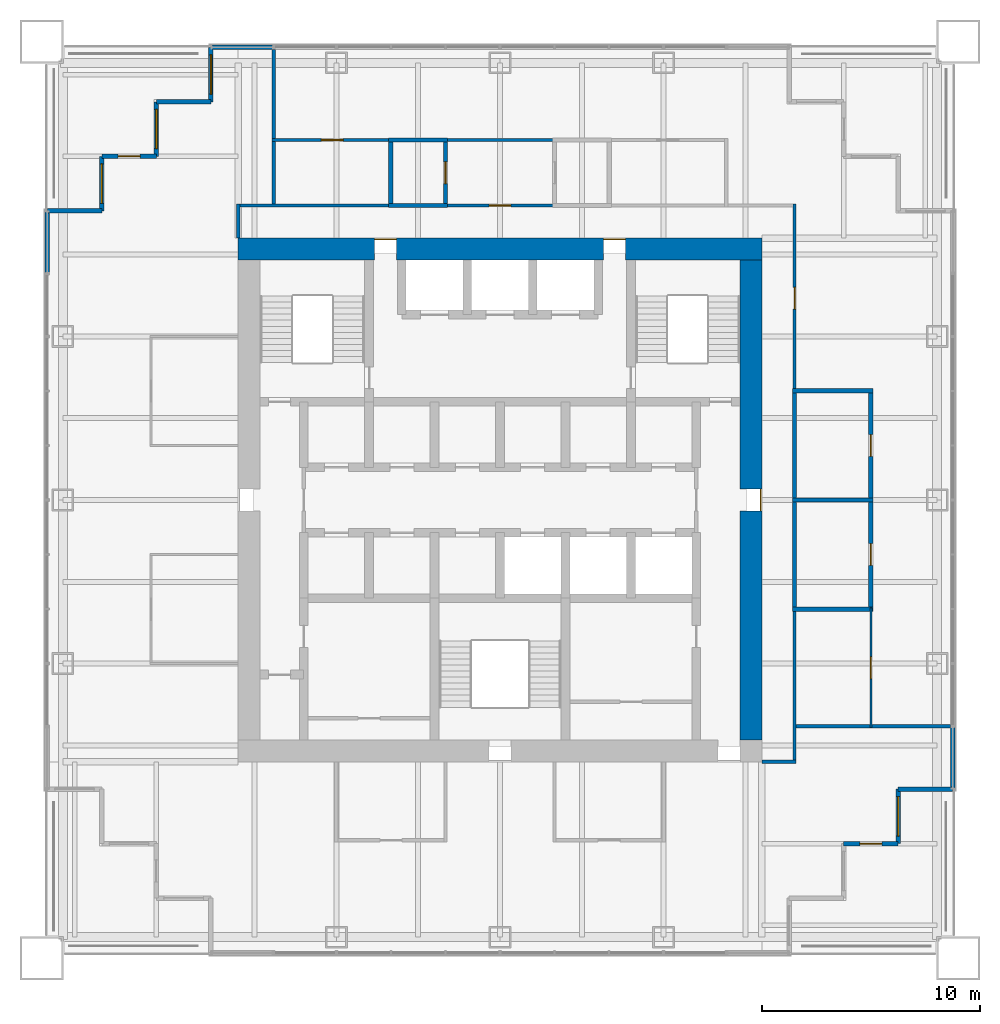
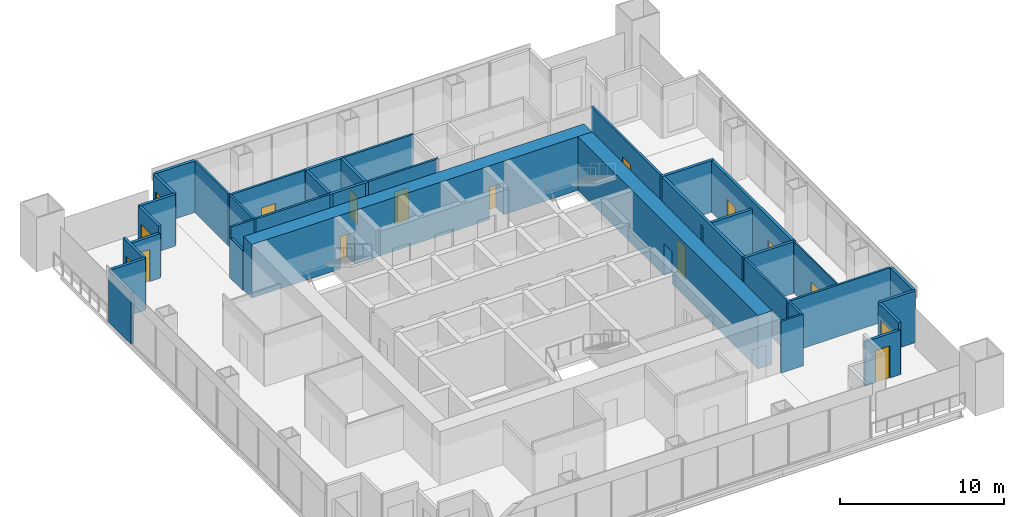
# One storey, part 11 of 14: 34 walls, 12 doors, 4 windows, 16 openings.
"""IFC4 building model written with IfcOpenShell, lengths in metres."""

from ifc_helpers import new_model, si_unit, direction, frame, frame_2d, origin, place, context, subcontext, project, spatial, rectangle, extrude, material, layer, layer_set, type_object, element, fill, save


model = new_model("IFC4")

# Units and contexts
model_context = context("Model", 3, precision=1e-05, world=origin(), true_north=direction((0.0, 1.0)))
body_context = subcontext(model_context, "Body", "Model", "MODEL_VIEW")
ifc_project = project(units=[si_unit("LENGTHUNIT", "METRE"), si_unit("AREAUNIT", "SQUARE_METRE"), si_unit("VOLUMEUNIT", "CUBIC_METRE"), si_unit("PLANEANGLEUNIT", "RADIAN"), si_unit("MASSUNIT", "GRAM", prefix="KILO")], contexts=[model_context])

# Site, building, storey
site_placement = place(None, origin())
site = spatial("IfcSite", under=ifc_project, at=site_placement, CompositionType="ELEMENT")
building_placement = place(site_placement, origin())
building = spatial("IfcBuilding", under=site, at=building_placement, Name="Tarangal Relay Tower", CompositionType="ELEMENT")
storey_placement = place(building_placement, frame((0.0, 0.0, 327.89990234375)))
storey = spatial("IfcBuildingStorey", under=building, at=storey_placement, Name="L73", CompositionType="ELEMENT", Elevation=327.89990234375)

# Walls
ifc_material_1 = material(Name="Two layers gypsum board each side on twin steel studs, mineral wool", Category="steel")
ifc_layer_1 = layer(ifc_material_1, 0.199951171875)
ifc_layer_set_1 = layer_set([ifc_layer_1], Name="Acoustic partition 200")
wall_type_1 = type_object("IfcWallType", Name="Acoustic partition 200", PredefinedType="PARTITIONING", material=ifc_layer_set_1)
wall_1_placement = place(storey_placement, frame((13.39990234375, -5.0, 0.0), z_axis=(0.0, 0.0, 1.0), x_axis=(1.0, 0.0, 0.0)))
element("IfcWall", 1, at=wall_1_placement, inside=storey, type_object=wall_type_1, Name="Partition PT2 L73", PredefinedType="PARTITIONING", context=body_context, shape_type="SweptSolid", body=[
    extrude(rectangle(XDim=3.7001953125, YDim=0.199951171875, at=frame_2d((1.85009765625, 0.0))), origin(), (0.0, 0.0, 1.0), 3.85009765625),
])
wall_2_placement = place(storey_placement, frame((13.39990234375, 0.0, 0.0), z_axis=(0.0, 0.0, 1.0), x_axis=(1.0, 0.0, 0.0)))
element("IfcWall", 2, at=wall_2_placement, inside=storey, type_object=wall_type_1, Name="Partition PT2 L73", PredefinedType="PARTITIONING", context=body_context, shape_type="SweptSolid", body=[
    extrude(rectangle(XDim=3.7001953125, YDim=0.199951171875, at=frame_2d((1.85009765625, 0.0))), origin(), (0.0, 0.0, 1.0), 3.2431640625),
])
wall_3_placement = place(storey_placement, frame((13.39990234375, 5.0, 0.0), z_axis=(0.0, 0.0, 1.0), x_axis=(1.0, 0.0, 0.0)))
element("IfcWall", 3, at=wall_3_placement, inside=storey, type_object=wall_type_1, Name="Partition PT2 L73", PredefinedType="PARTITIONING", context=body_context, shape_type="SweptSolid", body=[
    extrude(rectangle(XDim=3.7001953125, YDim=0.199951171875, at=frame_2d((1.85009765625, 0.0))), origin(), (0.0, 0.0, 1.0), 3.85009765625),
])
for number, where, z_axis, x_axis, name in (
    (4, (-5.10009765625, 13.5, 0.0), (0.0, 0.0, 1.0), (1.0, 0.0, 0.0), "Partition PT2 L73"),
    (5, (-5.10009765625, 16.5, 0.0), (0.0, 0.0, 1.0), (1.0, 0.0, 0.0), "Partition PT2 L73"),
):
    element("IfcWall", number, at=place(storey_placement, frame(where, z_axis=z_axis, x_axis=x_axis)), inside=storey, type_object=wall_type_1, Name=name, PredefinedType="PARTITIONING", context=body_context, shape_type="SweptSolid", body=[
        extrude(rectangle(XDim=2.7001953125, YDim=0.199951171875, at=frame_2d((1.35009765625, 0.0))), origin(), (0.0, 0.0, 1.0), 3.85009765625),
    ])
wall_4_placement = place(storey_placement, frame((-5.0, 13.39990234375, 0.0), z_axis=(0.0, 0.0, 1.0), x_axis=(0.0, 1.0, 0.0)))
element("IfcWall", 6, at=wall_4_placement, inside=storey, type_object=wall_type_1, Name="Partition PT2 L73", PredefinedType="PARTITIONING", context=body_context, shape_type="SweptSolid", body=[
    extrude(rectangle(XDim=3.2001953125, YDim=0.199951171875, at=frame_2d((1.60009765625, 0.0))), origin(), (0.0, 0.0, 1.0), 3.85009765625),
])

# Wall, opening, door
wall_5_placement = place(storey_placement, frame((-2.5, 13.39990234375, 0.0), z_axis=(0.0, 0.0, 1.0), x_axis=(0.0, 1.0, 0.0)))
wall_5 = element("IfcWall", 7, at=wall_5_placement, inside=storey, type_object=wall_type_1, Name="Partition PT2 L73", PredefinedType="PARTITIONING", context=body_context, shape_type="SweptSolid", body=[
    extrude(rectangle(XDim=3.2001953125, YDim=0.199951171875, at=frame_2d((1.60009765625, 0.0))), origin(), (0.0, 0.0, 1.0), 3.85009765625),
])
opening_1_placement = place(wall_5_placement, frame((1.10009765625, 0.0, 0.0)))
opening_1 = element("IfcOpeningElement", 8, at=opening_1_placement, cuts=wall_5, Name="Opening D2", PredefinedType="OPENING", context=body_context, shape_type="SweptSolid", body=[
    extrude(rectangle(XDim=1.0, YDim=2.10009765625, at=frame_2d((0.5, 1.050048828125))), frame((0.0, 0.10986328125, 0.0), z_axis=(0.0, -1.0, 0.0), x_axis=(1.0, 0.0, 0.0)), (0.0, 0.0, 1.0), 0.219970703125),
])
ifc_material_2 = material(Name="Hardwood door", Category="wood")
door_type_1 = type_object("IfcDoorType", Name="Door 1000 x 2100", OperationType="SINGLE_SWING_LEFT", PredefinedType="DOOR", material=ifc_material_2)
door_1_placement = place(opening_1_placement, origin())
door_1 = element("IfcDoor", 9, at=door_1_placement, inside=storey, type_object=door_type_1, Name="Door D2 to phone room L73-03", OperationType="SINGLE_SWING_LEFT", OverallHeight=2.10009765625, OverallWidth=1.0, PredefinedType="DOOR", context=body_context, shape_type="SweptSolid", body=[
    extrude(rectangle(XDim=1.0, YDim=2.10009765625, at=frame_2d((0.5, 1.050048828125))), frame((0.0, 0.02490234375, 0.0), z_axis=(0.0, -1.0, 0.0), x_axis=(1.0, 0.0, 0.0)), (0.0, 0.0, 1.0), 0.050048828125),
])
fill(opening_1, door_1)

# Wall
wall_6_placement = place(storey_placement, frame((13.5, -5.10009765625, 0.0), z_axis=(0.0, 0.0, 1.0), x_axis=(0.0, 1.0, 0.0)))
element("IfcWall", 10, at=wall_6_placement, inside=storey, type_object=wall_type_1, Name="Partition PT2 L73", PredefinedType="PARTITIONING", context=body_context, shape_type="SweptSolid", body=[
    extrude(rectangle(XDim=10.2001953125, YDim=0.199951171875, at=frame_2d((5.10009765625, 0.0))), origin(), (0.0, 0.0, 1.0), 3.85009765625),
])

# Wall, openings, doors
wall_7_placement = place(storey_placement, frame((17.0, -5.10009765625, 0.0), z_axis=(0.0, 0.0, 1.0), x_axis=(0.0, 1.0, 0.0)))
wall_7 = element("IfcWall", 11, at=wall_7_placement, inside=storey, type_object=wall_type_1, Name="Partition PT2 L73", PredefinedType="PARTITIONING", context=body_context, shape_type="SweptSolid", body=[
    extrude(rectangle(XDim=10.2001953125, YDim=0.199951171875, at=frame_2d((5.10009765625, 0.0))), origin(), (0.0, 0.0, 1.0), 3.85009765625),
])
opening_2_placement = place(wall_7_placement, frame((7.10009765625, 0.0, 0.0)))
opening_2 = element("IfcOpeningElement", 12, at=opening_2_placement, cuts=wall_7, Name="Opening D2", PredefinedType="OPENING", context=body_context, shape_type="SweptSolid", body=[
    extrude(rectangle(XDim=1.0, YDim=2.10009765625, at=frame_2d((0.5, 1.050048828125))), frame((0.0, 0.10986328125, 0.0), z_axis=(0.0, -1.0, 0.0), x_axis=(1.0, 0.0, 0.0)), (0.0, 0.0, 1.0), 0.219970703125),
])
opening_3_placement = place(wall_7_placement, frame((2.10009765625, 0.0, 0.0)))
opening_3 = element("IfcOpeningElement", 13, at=opening_3_placement, cuts=wall_7, Name="Opening D2", PredefinedType="OPENING", context=body_context, shape_type="SweptSolid", body=[
    extrude(rectangle(XDim=1.0, YDim=2.10009765625, at=frame_2d((0.5, 1.050048828125))), frame((0.0, 0.10986328125, 0.0), z_axis=(0.0, -1.0, 0.0), x_axis=(1.0, 0.0, 0.0)), (0.0, 0.0, 1.0), 0.219970703125),
])
door_2_placement = place(opening_2_placement, origin())
door_2 = element("IfcDoor", 14, at=door_2_placement, inside=storey, type_object=door_type_1, Name="Door D2 to boardroom L73-07", OperationType="SINGLE_SWING_LEFT", OverallHeight=2.10009765625, OverallWidth=1.0, PredefinedType="DOOR", context=body_context, shape_type="SweptSolid", body=[
    extrude(rectangle(XDim=1.0, YDim=2.10009765625, at=frame_2d((0.5, 1.050048828125))), frame((0.0, 0.02490234375, 0.0), z_axis=(0.0, -1.0, 0.0), x_axis=(1.0, 0.0, 0.0)), (0.0, 0.0, 1.0), 0.050048828125),
])
fill(opening_2, door_2)
door_3_placement = place(opening_3_placement, origin())
door_3 = element("IfcDoor", 15, at=door_3_placement, inside=storey, type_object=door_type_1, Name="Door D2 to meeting room L73-08", OperationType="SINGLE_SWING_LEFT", OverallHeight=2.10009765625, OverallWidth=1.0, PredefinedType="DOOR", context=body_context, shape_type="SweptSolid", body=[
    extrude(rectangle(XDim=1.0, YDim=2.10009765625, at=frame_2d((0.5, 1.050048828125))), frame((0.0, 0.02490234375, 0.0), z_axis=(0.0, -1.0, 0.0), x_axis=(1.0, 0.0, 0.0)), (0.0, 0.0, 1.0), 0.050048828125),
])
fill(opening_3, door_3)

ifc_material_3 = material(Name="Concrete fc' 60 MPa", Category="concrete")
ifc_layer_2 = layer(ifc_material_3, 1.0)
ifc_layer_set_2 = layer_set([ifc_layer_2], Name="Core wall 1000")
wall_type_2 = type_object("IfcWallType", Name="Core wall 1000", PredefinedType="SHEAR", material=ifc_layer_set_2)
wall_8_placement = place(storey_placement, frame((-12.0, 11.5, 0.0), z_axis=(0.0, 0.0, 1.0), x_axis=(1.0, 0.0, 0.0)))
wall_8 = element("IfcWall", 16, at=wall_8_placement, inside=storey, type_object=wall_type_2, Name="Core wall N L73", PredefinedType="SHEAR", context=body_context, shape_type="SweptSolid", body=[
    extrude(rectangle(XDim=24.0, YDim=1.0, at=frame_2d((12.0, 0.0))), origin(), (0.0, 0.0, 1.0), 4.0),
])
opening_4_placement = place(wall_8_placement, frame((6.25, 0.0, 0.0)))
opening_4 = element("IfcOpeningElement", 17, at=opening_4_placement, cuts=wall_8, Name="Opening FD3", PredefinedType="OPENING", context=body_context, shape_type="SweptSolid", body=[
    extrude(rectangle(XDim=1.0, YDim=2.39990234375, at=frame_2d((0.5, 1.199951171875))), frame((0.0, 0.510009765625, 0.0), z_axis=(0.0, -1.0, 0.0), x_axis=(1.0, 0.0, 0.0)), (0.0, 0.0, 1.0), 1.02001953125),
])
opening_5_placement = place(wall_8_placement, frame((16.75, 0.0, 0.0)))
opening_5 = element("IfcOpeningElement", 18, at=opening_5_placement, cuts=wall_8, Name="Opening FD3", PredefinedType="OPENING", context=body_context, shape_type="SweptSolid", body=[
    extrude(rectangle(XDim=1.0, YDim=2.39990234375, at=frame_2d((0.5, 1.199951171875))), frame((0.0, 0.510009765625, 0.0), z_axis=(0.0, -1.0, 0.0), x_axis=(1.0, 0.0, 0.0)), (0.0, 0.0, 1.0), 1.02001953125),
])
ifc_material_4 = material(Name="Steel door with hardwood frame", Category="steel")
door_type_2 = type_object("IfcDoorType", Name="Fire door 1000 x 2400 core entry", OperationType="SINGLE_SWING_RIGHT", PredefinedType="DOOR", material=ifc_material_4)
door_4_placement = place(opening_4_placement, origin())
door_4 = element("IfcDoor", 19, at=door_4_placement, inside=storey, type_object=door_type_2, Name="Core entry door north west L73", OperationType="SINGLE_SWING_RIGHT", OverallHeight=2.39990234375, OverallWidth=1.0, PredefinedType="DOOR", context=body_context, shape_type="SweptSolid", body=[
    extrude(rectangle(XDim=1.0, YDim=2.39990234375, at=frame_2d((0.5, 1.199951171875))), frame((0.0, 0.48486328125, 0.0), z_axis=(0.0, -1.0, 0.0), x_axis=(1.0, 0.0, 0.0)), (0.0, 0.0, 1.0), 0.050048828125),
])
fill(opening_4, door_4)
door_5_placement = place(opening_5_placement, origin())
door_5 = element("IfcDoor", 20, at=door_5_placement, inside=storey, type_object=door_type_2, Name="Core entry door north east L73", OperationType="SINGLE_SWING_RIGHT", OverallHeight=2.39990234375, OverallWidth=1.0, PredefinedType="DOOR", context=body_context, shape_type="SweptSolid", body=[
    extrude(rectangle(XDim=1.0, YDim=2.39990234375, at=frame_2d((0.5, 1.199951171875))), frame((0.0, 0.48486328125, 0.0), z_axis=(0.0, -1.0, 0.0), x_axis=(1.0, 0.0, 0.0)), (0.0, 0.0, 1.0), 0.050048828125),
])
fill(opening_5, door_5)

# Wall, opening, door
wall_9_placement = place(storey_placement, frame((11.5, 11.0, 0.0), z_axis=(0.0, 0.0, 1.0), x_axis=(0.0, -1.0, 0.0)))
wall_9 = element("IfcWall", 21, at=wall_9_placement, inside=storey, type_object=wall_type_2, Name="Core wall E L73", PredefinedType="SHEAR", context=body_context, shape_type="SweptSolid", body=[
    extrude(rectangle(XDim=22.0, YDim=1.0, at=frame_2d((11.0, 0.0))), origin(), (0.0, 0.0, 1.0), 4.0),
])
opening_6_placement = place(wall_9_placement, frame((10.5, 0.0, 0.0)))
opening_6 = element("IfcOpeningElement", 22, at=opening_6_placement, cuts=wall_9, Name="Opening FD3", PredefinedType="OPENING", context=body_context, shape_type="SweptSolid", body=[
    extrude(rectangle(XDim=1.0, YDim=2.39990234375, at=frame_2d((0.5, 1.199951171875))), frame((0.0, 0.510009765625, 0.0), z_axis=(0.0, -1.0, 0.0), x_axis=(1.0, 0.0, 0.0)), (0.0, 0.0, 1.0), 1.02001953125),
])
door_6_placement = place(opening_6_placement, origin())
door_6 = element("IfcDoor", 23, at=door_6_placement, inside=storey, type_object=door_type_2, Name="Core entry door east L73", OperationType="SINGLE_SWING_RIGHT", OverallHeight=2.39990234375, OverallWidth=1.0, PredefinedType="DOOR", context=body_context, shape_type="SweptSolid", body=[
    extrude(rectangle(XDim=1.0, YDim=2.39990234375, at=frame_2d((0.5, 1.199951171875))), frame((0.0, 0.48486328125, 0.0), z_axis=(0.0, -1.0, 0.0), x_axis=(1.0, 0.0, 0.0)), (0.0, 0.0, 1.0), 0.050048828125),
])
fill(opening_6, door_6)

# Wall
ifc_material_5 = material(Name="Black metal clad insulated wall", Category="steel")
ifc_layer_3 = layer(ifc_material_5, 0.199951171875)
ifc_layer_set_3 = layer_set([ifc_layer_3], Name="Corner wall metal clad 200")
wall_type_3 = type_object("IfcWallType", Name="Corner wall metal clad 200", PredefinedType="SOLIDWALL", material=ifc_layer_set_3)
wall_10_placement = place(storey_placement, frame((20.75, -13.25, 0.0), z_axis=(0.0, 0.0, 1.0), x_axis=(-1.0, 0.0, 0.0)))
element("IfcWall", 24, at=wall_10_placement, inside=storey, type_object=wall_type_3, Name="Facade wall E facade L73", PredefinedType="SOLIDWALL", context=body_context, shape_type="SweptSolid", body=[
    extrude(rectangle(XDim=2.5, YDim=0.199951171875, at=frame_2d((1.25, 0.0))), origin(), (0.0, 0.0, 1.0), 3.85009765625),
])

# Wall, opening, window
wall_11_placement = place(storey_placement, frame((18.25, -13.25, 0.0), z_axis=(0.0, 0.0, 1.0), x_axis=(0.0, -1.0, 0.0)))
wall_11 = element("IfcWall", 25, at=wall_11_placement, inside=storey, type_object=wall_type_3, Name="Facade wall E facade L73", PredefinedType="SOLIDWALL", context=body_context, shape_type="SweptSolid", body=[
    extrude(rectangle(XDim=2.5, YDim=0.199951171875, at=frame_2d((1.25, 0.0))), origin(), (0.0, 0.0, 1.0), 3.85009765625),
])
opening_7_placement = place(wall_11_placement, frame((0.35009765625, 0.0, 0.300048828125)))
opening_7 = element("IfcOpeningElement", 26, at=opening_7_placement, cuts=wall_11, Name="Opening WN2", PredefinedType="OPENING", context=body_context, shape_type="SweptSolid", body=[
    extrude(rectangle(XDim=1.800048828125, YDim=2.39990234375, at=frame_2d((0.89990234375, 1.199951171875))), frame((0.0, 0.10986328125, 0.0), z_axis=(0.0, -1.0, 0.0), x_axis=(1.0, 0.0, 0.0)), (0.0, 0.0, 1.0), 0.219970703125),
])
ifc_material_6 = material(Name="Dark tinted double glazing in black aluminium frame", Category="aluminium")
window_type = type_object("IfcWindowType", Name="Corner window 1800 x 2400", PartitioningType="SINGLE_PANEL", PredefinedType="WINDOW", material=ifc_material_6)
window_1_placement = place(opening_7_placement, origin())
window_1 = element("IfcWindow", 27, at=window_1_placement, inside=storey, type_object=window_type, Name="Corner window WN2 E facade L73", OverallHeight=2.39990234375, OverallWidth=1.800048828125, PartitioningType="SINGLE_PANEL", PredefinedType="WINDOW", context=body_context, shape_type="SweptSolid", body=[
    extrude(rectangle(XDim=1.800048828125, YDim=2.39990234375, at=frame_2d((0.89990234375, 1.199951171875))), frame((0.0, 0.030029296875, 0.0), z_axis=(0.0, -1.0, 0.0), x_axis=(1.0, 0.0, 0.0)), (0.0, 0.0, 1.0), 0.06005859375),
])
fill(opening_7, window_1)

# Wall, opening, door
wall_12_placement = place(storey_placement, frame((18.25, -15.75, 0.0), z_axis=(0.0, 0.0, 1.0), x_axis=(-1.0, 0.0, 0.0)))
wall_12 = element("IfcWall", 28, at=wall_12_placement, inside=storey, type_object=wall_type_3, Name="Facade wall E facade L73", PredefinedType="SOLIDWALL", context=body_context, shape_type="SweptSolid", body=[
    extrude(rectangle(XDim=2.5, YDim=0.199951171875, at=frame_2d((1.25, 0.0))), origin(), (0.0, 0.0, 1.0), 3.316650390625),
])
opening_8_placement = place(wall_12_placement, frame((0.75, 0.0, 0.0)))
opening_8 = element("IfcOpeningElement", 29, at=opening_8_placement, cuts=wall_12, Name="Opening TD1", PredefinedType="OPENING", context=body_context, shape_type="SweptSolid", body=[
    extrude(rectangle(XDim=1.0, YDim=2.39990234375, at=frame_2d((0.5, 1.199951171875))), frame((0.0, 0.10986328125, 0.0), z_axis=(0.0, -1.0, 0.0), x_axis=(1.0, 0.0, 0.0)), (0.0, 0.0, 1.0), 0.219970703125),
])
ifc_material_7 = material(Name="Aluminium glazed door", Category="aluminium")
door_type_3 = type_object("IfcDoorType", Name="Terrace door 1000 x 2400", OperationType="SINGLE_SWING_RIGHT", PredefinedType="DOOR", material=ifc_material_7)
door_7_placement = place(opening_8_placement, origin())
door_7 = element("IfcDoor", 30, at=door_7_placement, inside=storey, type_object=door_type_3, Name="Terrace door TD1 SE L73", OperationType="SINGLE_SWING_RIGHT", OverallHeight=2.39990234375, OverallWidth=1.0, PredefinedType="DOOR", context=body_context, shape_type="SweptSolid", body=[
    extrude(rectangle(XDim=1.0, YDim=2.39990234375, at=frame_2d((0.5, 1.199951171875))), frame((0.0, 0.02490234375, 0.0), z_axis=(0.0, -1.0, 0.0), x_axis=(1.0, 0.0, 0.0)), (0.0, 0.0, 1.0), 0.050048828125),
])
fill(opening_8, door_7)

# Wall
wall_13_placement = place(storey_placement, frame((-20.75, 13.25, 0.0), z_axis=(0.0, 0.0, 1.0), x_axis=(1.0, 0.0, 0.0)))
element("IfcWall", 31, at=wall_13_placement, inside=storey, type_object=wall_type_3, Name="Facade wall W facade L73", PredefinedType="SOLIDWALL", context=body_context, shape_type="SweptSolid", body=[
    extrude(rectangle(XDim=2.5, YDim=0.199951171875, at=frame_2d((1.25, 0.0))), origin(), (0.0, 0.0, 1.0), 3.85009765625),
])

# Wall, opening, window
wall_14_placement = place(storey_placement, frame((-18.25, 13.25, 0.0), z_axis=(0.0, 0.0, 1.0), x_axis=(0.0, 1.0, 0.0)))
wall_14 = element("IfcWall", 32, at=wall_14_placement, inside=storey, type_object=wall_type_3, Name="Facade wall W facade L73", PredefinedType="SOLIDWALL", context=body_context, shape_type="SweptSolid", body=[
    extrude(rectangle(XDim=2.5, YDim=0.199951171875, at=frame_2d((1.25, 0.0))), origin(), (0.0, 0.0, 1.0), 3.85009765625),
])
opening_9_placement = place(wall_14_placement, frame((0.35009765625, 0.0, 0.300048828125)))
opening_9 = element("IfcOpeningElement", 33, at=opening_9_placement, cuts=wall_14, Name="Opening WN2", PredefinedType="OPENING", context=body_context, shape_type="SweptSolid", body=[
    extrude(rectangle(XDim=1.800048828125, YDim=2.39990234375, at=frame_2d((0.89990234375, 1.199951171875))), frame((0.0, 0.10986328125, 0.0), z_axis=(0.0, -1.0, 0.0), x_axis=(1.0, 0.0, 0.0)), (0.0, 0.0, 1.0), 0.219970703125),
])
window_2_placement = place(opening_9_placement, origin())
window_2 = element("IfcWindow", 34, at=window_2_placement, inside=storey, type_object=window_type, Name="Corner window WN2 W facade L73", OverallHeight=2.39990234375, OverallWidth=1.800048828125, PartitioningType="SINGLE_PANEL", PredefinedType="WINDOW", context=body_context, shape_type="SweptSolid", body=[
    extrude(rectangle(XDim=1.800048828125, YDim=2.39990234375, at=frame_2d((0.89990234375, 1.199951171875))), frame((0.0, 0.030029296875, 0.0), z_axis=(0.0, -1.0, 0.0), x_axis=(1.0, 0.0, 0.0)), (0.0, 0.0, 1.0), 0.06005859375),
])
fill(opening_9, window_2)

# Wall, opening, door
wall_15_placement = place(storey_placement, frame((-18.25, 15.75, 0.0), z_axis=(0.0, 0.0, 1.0), x_axis=(1.0, 0.0, 0.0)))
wall_15 = element("IfcWall", 35, at=wall_15_placement, inside=storey, type_object=wall_type_3, Name="Facade wall W facade L73", PredefinedType="SOLIDWALL", context=body_context, shape_type="SweptSolid", body=[
    extrude(rectangle(XDim=2.5, YDim=0.199951171875, at=frame_2d((1.25, 0.0))), origin(), (0.0, 0.0, 1.0), 3.316650390625),
])
opening_10_placement = place(wall_15_placement, frame((0.75, 0.0, 0.0)))
opening_10 = element("IfcOpeningElement", 36, at=opening_10_placement, cuts=wall_15, Name="Opening TD1", PredefinedType="OPENING", context=body_context, shape_type="SweptSolid", body=[
    extrude(rectangle(XDim=1.0, YDim=2.39990234375, at=frame_2d((0.5, 1.199951171875))), frame((0.0, 0.10986328125, 0.0), z_axis=(0.0, -1.0, 0.0), x_axis=(1.0, 0.0, 0.0)), (0.0, 0.0, 1.0), 0.219970703125),
])
door_8_placement = place(opening_10_placement, origin())
door_8 = element("IfcDoor", 37, at=door_8_placement, inside=storey, type_object=door_type_3, Name="Terrace door TD1 NW L73", OperationType="SINGLE_SWING_RIGHT", OverallHeight=2.39990234375, OverallWidth=1.0, PredefinedType="DOOR", context=body_context, shape_type="SweptSolid", body=[
    extrude(rectangle(XDim=1.0, YDim=2.39990234375, at=frame_2d((0.5, 1.199951171875))), frame((0.0, 0.02490234375, 0.0), z_axis=(0.0, -1.0, 0.0), x_axis=(1.0, 0.0, 0.0)), (0.0, 0.0, 1.0), 0.050048828125),
])
fill(opening_10, door_8)

# Wall, opening, window
wall_16_placement = place(storey_placement, frame((-15.75, 15.75, 0.0), z_axis=(0.0, 0.0, 1.0), x_axis=(0.0, 1.0, 0.0)))
wall_16 = element("IfcWall", 38, at=wall_16_placement, inside=storey, type_object=wall_type_3, Name="Facade wall W facade L73", PredefinedType="SOLIDWALL", context=body_context, shape_type="SweptSolid", body=[
    extrude(rectangle(XDim=2.5, YDim=0.199951171875, at=frame_2d((1.25, 0.0))), origin(), (0.0, 0.0, 1.0), 3.85009765625),
])
opening_11_placement = place(wall_16_placement, frame((0.35009765625, 0.0, 0.300048828125)))
opening_11 = element("IfcOpeningElement", 39, at=opening_11_placement, cuts=wall_16, Name="Opening WN2", PredefinedType="OPENING", context=body_context, shape_type="SweptSolid", body=[
    extrude(rectangle(XDim=1.800048828125, YDim=2.39990234375, at=frame_2d((0.89990234375, 1.199951171875))), frame((0.0, 0.10986328125, 0.0), z_axis=(0.0, -1.0, 0.0), x_axis=(1.0, 0.0, 0.0)), (0.0, 0.0, 1.0), 0.219970703125),
])
window_3_placement = place(opening_11_placement, origin())
window_3 = element("IfcWindow", 40, at=window_3_placement, inside=storey, type_object=window_type, Name="Corner window WN2 W facade L73", OverallHeight=2.39990234375, OverallWidth=1.800048828125, PartitioningType="SINGLE_PANEL", PredefinedType="WINDOW", context=body_context, shape_type="SweptSolid", body=[
    extrude(rectangle(XDim=1.800048828125, YDim=2.39990234375, at=frame_2d((0.89990234375, 1.199951171875))), frame((0.0, 0.030029296875, 0.0), z_axis=(0.0, -1.0, 0.0), x_axis=(1.0, 0.0, 0.0)), (0.0, 0.0, 1.0), 0.06005859375),
])
fill(opening_11, window_3)

# Wall
wall_17_placement = place(storey_placement, frame((-15.75, 18.25, 0.0), z_axis=(0.0, 0.0, 1.0), x_axis=(1.0, 0.0, 0.0)))
element("IfcWall", 41, at=wall_17_placement, inside=storey, type_object=wall_type_3, Name="Facade wall W facade L73", PredefinedType="SOLIDWALL", context=body_context, shape_type="SweptSolid", body=[
    extrude(rectangle(XDim=2.5, YDim=0.199951171875, at=frame_2d((1.25, 0.0))), origin(), (0.0, 0.0, 1.0), 3.85009765625),
])

# Wall, opening, window
wall_18_placement = place(storey_placement, frame((-13.25, 18.25, 0.0), z_axis=(0.0, 0.0, 1.0), x_axis=(0.0, 1.0, 0.0)))
wall_18 = element("IfcWall", 42, at=wall_18_placement, inside=storey, type_object=wall_type_3, Name="Facade wall W facade L73", PredefinedType="SOLIDWALL", context=body_context, shape_type="SweptSolid", body=[
    extrude(rectangle(XDim=2.5, YDim=0.199951171875, at=frame_2d((1.25, 0.0))), origin(), (0.0, 0.0, 1.0), 3.85009765625),
])
opening_12_placement = place(wall_18_placement, frame((0.35009765625, 0.0, 0.300048828125)))
opening_12 = element("IfcOpeningElement", 43, at=opening_12_placement, cuts=wall_18, Name="Opening WN2", PredefinedType="OPENING", context=body_context, shape_type="SweptSolid", body=[
    extrude(rectangle(XDim=1.800048828125, YDim=2.39990234375, at=frame_2d((0.89990234375, 1.199951171875))), frame((0.0, 0.10986328125, 0.0), z_axis=(0.0, -1.0, 0.0), x_axis=(1.0, 0.0, 0.0)), (0.0, 0.0, 1.0), 0.219970703125),
])
window_4_placement = place(opening_12_placement, origin())
window_4 = element("IfcWindow", 44, at=window_4_placement, inside=storey, type_object=window_type, Name="Corner window WN2 W facade L73", OverallHeight=2.39990234375, OverallWidth=1.800048828125, PartitioningType="SINGLE_PANEL", PredefinedType="WINDOW", context=body_context, shape_type="SweptSolid", body=[
    extrude(rectangle(XDim=1.800048828125, YDim=2.39990234375, at=frame_2d((0.89990234375, 1.199951171875))), frame((0.0, 0.030029296875, 0.0), z_axis=(0.0, -1.0, 0.0), x_axis=(1.0, 0.0, 0.0)), (0.0, 0.0, 1.0), 0.06005859375),
])
fill(opening_12, window_4)

# Walls
ifc_layer_4 = layer(ifc_material_5, 0.199951171875)
ifc_layer_set_4 = layer_set([ifc_layer_4], Name="Facade infill wall metal clad 200")
wall_type_4 = type_object("IfcWallType", Name="Facade infill wall metal clad 200", PredefinedType="SOLIDWALL", material=ifc_layer_set_4)
for number, where, z_axis, x_axis, name in (
    (45, (-13.18994140625, 20.75, 0.0), (0.0, 0.0, 1.0), (1.0, 0.0, 0.0), "Facade infill wall N facade L73 1.1"),
    (46, (20.75, -10.43505859375, 0.0), (0.0, 0.0, 1.0), (0.0, -1.0, 0.0), "Facade infill wall E facade L73 1.1"),
    (47, (-20.75, 10.43505859375, 0.0), (0.0, 0.0, 1.0), (0.0, 1.0, 0.0), "Facade infill wall W facade L73 1.1"),
):
    element("IfcWall", number, at=place(storey_placement, frame(where, z_axis=z_axis, x_axis=x_axis)), inside=storey, type_object=wall_type_4, Name=name, PredefinedType="SOLIDWALL", context=body_context, shape_type="SweptSolid", body=[
        extrude(rectangle(XDim=2.7548828125, YDim=0.199951171875, at=frame_2d((1.37744140625, 0.0))), origin(), (0.0, 0.0, 1.0), 3.85009765625),
    ])

# Wall, opening, door
ifc_material_8 = material(Name="Double glazed aluminium framed partition", Category="aluminium")
ifc_layer_5 = layer(ifc_material_8, 0.10009765625)
ifc_layer_set_5 = layer_set([ifc_layer_5], Name="Glazed partition 100")
wall_type_5 = type_object("IfcWallType", Name="Glazed partition 100", PredefinedType="PARTITIONING", material=ifc_layer_set_5)
wall_19_placement = place(storey_placement, frame((17.0, -10.425048828125, 0.0), z_axis=(0.0, 0.0, 1.0), x_axis=(0.0, 1.0, 0.0)))
wall_19 = element("IfcWall", 48, at=wall_19_placement, inside=storey, type_object=wall_type_5, Name="Partition PT3 L73", PredefinedType="PARTITIONING", context=body_context, shape_type="SweptSolid", body=[
    extrude(rectangle(XDim=5.47509765625, YDim=0.10009765625, at=frame_2d((2.737548828125, 0.0))), origin(), (0.0, 0.0, 1.0), 3.85009765625),
])
opening_13_placement = place(wall_19_placement, frame((2.237548828125, 0.0, 0.0)))
opening_13 = element("IfcOpeningElement", 49, at=opening_13_placement, cuts=wall_19, Name="Opening D3", PredefinedType="OPENING", context=body_context, shape_type="SweptSolid", body=[
    extrude(rectangle(XDim=1.0, YDim=2.10009765625, at=frame_2d((0.5, 1.050048828125))), frame((0.0, 0.06005859375, 0.0), z_axis=(0.0, -1.0, 0.0), x_axis=(1.0, 0.0, 0.0)), (0.0, 0.0, 1.0), 0.1201171875),
])
ifc_material_9 = material(Name="Frameless glass door", Category="glass")
door_type_4 = type_object("IfcDoorType", Name="Glazed door 1000 x 2100", OperationType="SINGLE_SWING_LEFT", PredefinedType="DOOR", material=ifc_material_9)
door_9_placement = place(opening_13_placement, origin())
door_9 = element("IfcDoor", 50, at=door_9_placement, inside=storey, type_object=door_type_4, Name="Door D3 to meeting room L73-09", OperationType="SINGLE_SWING_LEFT", OverallHeight=2.10009765625, OverallWidth=1.0, PredefinedType="DOOR", context=body_context, shape_type="SweptSolid", body=[
    extrude(rectangle(XDim=1.0, YDim=2.10009765625, at=frame_2d((0.5, 1.050048828125))), frame((0.0, 0.02490234375, 0.0), z_axis=(0.0, -1.0, 0.0), x_axis=(1.0, 0.0, 0.0)), (0.0, 0.0, 1.0), 0.050048828125),
])
fill(opening_13, door_9)

# Walls
ifc_material_10 = material(Name="Gypsum board on steel studs", Category="steel")
ifc_layer_6 = layer(ifc_material_10, 0.14990234375)
ifc_layer_set_6 = layer_set([ifc_layer_6], Name="Partition 150")
wall_type_6 = type_object("IfcWallType", Name="Partition 150", PredefinedType="PARTITIONING", material=ifc_layer_set_6)
wall_20_placement = place(storey_placement, frame((12.0, -12.0, 0.0), z_axis=(0.0, 0.0, 1.0), x_axis=(1.0, 0.0, 0.0)))
element("IfcWall", 51, at=wall_20_placement, inside=storey, type_object=wall_type_6, Name="Partition PT1 L73", PredefinedType="PARTITIONING", context=body_context, shape_type="SweptSolid", body=[
    extrude(rectangle(XDim=1.574951171875, YDim=0.14990234375, at=frame_2d((0.78759765625, 0.0))), origin(), (0.0, 0.0, 1.0), 3.85009765625),
])
wall_21_placement = place(storey_placement, frame((13.425048828125, -10.375, 0.0), z_axis=(0.0, 0.0, 1.0), x_axis=(1.0, 0.0, 0.0)))
element("IfcWall", 52, at=wall_21_placement, inside=storey, type_object=wall_type_6, Name="Partition PT1 L73", PredefinedType="PARTITIONING", context=body_context, shape_type="SweptSolid", body=[
    extrude(rectangle(XDim=7.224853515625, YDim=0.14990234375, at=frame_2d((3.6123046875, 0.0))), origin(), (0.0, 0.0, 1.0), 3.85009765625),
])
wall_22_placement = place(storey_placement, frame((-12.074951171875, 13.5, 0.0), z_axis=(0.0, 0.0, 1.0), x_axis=(1.0, 0.0, 0.0)))
element("IfcWall", 53, at=wall_22_placement, inside=storey, type_object=wall_type_6, Name="Partition PT1 L73", PredefinedType="PARTITIONING", context=body_context, shape_type="SweptSolid", body=[
    extrude(rectangle(XDim=7.14990234375, YDim=0.14990234375, at=frame_2d((3.574951171875, 0.0))), origin(), (0.0, 0.0, 1.0), 3.85009765625),
])

# Wall, opening, door
wall_23_placement = place(storey_placement, frame((-2.574951171875, 13.5, 0.0), z_axis=(0.0, 0.0, 1.0), x_axis=(1.0, 0.0, 0.0)))
wall_23 = element("IfcWall", 54, at=wall_23_placement, inside=storey, type_object=wall_type_6, Name="Partition PT1 L73", PredefinedType="PARTITIONING", context=body_context, shape_type="SweptSolid", body=[
    extrude(rectangle(XDim=5.14990234375, YDim=0.14990234375, at=frame_2d((2.574951171875, 0.0))), origin(), (0.0, 0.0, 1.0), 3.85009765625),
])
opening_14_placement = place(wall_23_placement, frame((2.074951171875, 0.0, 0.0)))
opening_14 = element("IfcOpeningElement", 55, at=opening_14_placement, cuts=wall_23, Name="Opening SD1", PredefinedType="OPENING", context=body_context, shape_type="SweptSolid", body=[
    extrude(rectangle(XDim=1.0, YDim=2.39990234375, at=frame_2d((0.5, 1.199951171875))), frame((0.0, 0.0849609375, 0.0), z_axis=(0.0, -1.0, 0.0), x_axis=(1.0, 0.0, 0.0)), (0.0, 0.0, 1.0), 0.169921875),
])
door_type_5 = type_object("IfcDoorType", Name="Suite entrance door 1000 x 2400", OperationType="SINGLE_SWING_RIGHT", PredefinedType="DOOR", material=ifc_material_4)
door_10_placement = place(opening_14_placement, origin())
door_10 = element("IfcDoor", 56, at=door_10_placement, inside=storey, type_object=door_type_5, Name="Door SD1 to reception L73-04", OperationType="SINGLE_SWING_RIGHT", OverallHeight=2.39990234375, OverallWidth=1.0, PredefinedType="DOOR", context=body_context, shape_type="SweptSolid", body=[
    extrude(rectangle(XDim=1.0, YDim=2.39990234375, at=frame_2d((0.5, 1.199951171875))), frame((0.0, 0.02490234375, 0.0), z_axis=(0.0, -1.0, 0.0), x_axis=(1.0, 0.0, 0.0)), (0.0, 0.0, 1.0), 0.050048828125),
])
fill(opening_14, door_10)

wall_24_placement = place(storey_placement, frame((-10.449951171875, 16.5, 0.0), z_axis=(0.0, 0.0, 1.0), x_axis=(1.0, 0.0, 0.0)))
wall_24 = element("IfcWall", 57, at=wall_24_placement, inside=storey, type_object=wall_type_6, Name="Partition PT1 L73", PredefinedType="PARTITIONING", context=body_context, shape_type="SweptSolid", body=[
    extrude(rectangle(XDim=5.52490234375, YDim=0.14990234375, at=frame_2d((2.762451171875, 0.0))), origin(), (0.0, 0.0, 1.0), 3.85009765625),
])
opening_15_placement = place(wall_24_placement, frame((2.262451171875, 0.0, 0.0)))
opening_15 = element("IfcOpeningElement", 58, at=opening_15_placement, cuts=wall_24, Name="Opening D2", PredefinedType="OPENING", context=body_context, shape_type="SweptSolid", body=[
    extrude(rectangle(XDim=1.0, YDim=2.10009765625, at=frame_2d((0.5, 1.050048828125))), frame((0.0, 0.0849609375, 0.0), z_axis=(0.0, -1.0, 0.0), x_axis=(1.0, 0.0, 0.0)), (0.0, 0.0, 1.0), 0.169921875),
])
door_11_placement = place(opening_15_placement, origin())
door_11 = element("IfcDoor", 59, at=door_11_placement, inside=storey, type_object=door_type_1, Name="Door D2 to executive office L73-02", OperationType="SINGLE_SWING_LEFT", OverallHeight=2.10009765625, OverallWidth=1.0, PredefinedType="DOOR", context=body_context, shape_type="SweptSolid", body=[
    extrude(rectangle(XDim=1.0, YDim=2.10009765625, at=frame_2d((0.5, 1.050048828125))), frame((0.0, 0.02490234375, 0.0), z_axis=(0.0, -1.0, 0.0), x_axis=(1.0, 0.0, 0.0)), (0.0, 0.0, 1.0), 0.050048828125),
])
fill(opening_15, door_11)

# Walls
wall_25_placement = place(storey_placement, frame((-2.574951171875, 16.5, 0.0), z_axis=(0.0, 0.0, 1.0), x_axis=(1.0, 0.0, 0.0)))
element("IfcWall", 60, at=wall_25_placement, inside=storey, type_object=wall_type_6, Name="Partition PT1 L73", PredefinedType="PARTITIONING", context=body_context, shape_type="SweptSolid", body=[
    extrude(rectangle(XDim=5.14990234375, YDim=0.14990234375, at=frame_2d((2.574951171875, 0.0))), origin(), (0.0, 0.0, 1.0), 3.85009765625),
])
wall_26_placement = place(storey_placement, frame((-12.0, 12.0, 0.0), z_axis=(0.0, 0.0, 1.0), x_axis=(0.0, 1.0, 0.0)))
element("IfcWall", 61, at=wall_26_placement, inside=storey, type_object=wall_type_6, Name="Partition PT1 L73", PredefinedType="PARTITIONING", context=body_context, shape_type="SweptSolid", body=[
    extrude(rectangle(XDim=1.574951171875, YDim=0.14990234375, at=frame_2d((0.78759765625, 0.0))), origin(), (0.0, 0.0, 1.0), 3.009521484375),
])
wall_27_placement = place(storey_placement, frame((-10.375, 13.425048828125, 0.0), z_axis=(0.0, 0.0, 1.0), x_axis=(0.0, 1.0, 0.0)))
element("IfcWall", 62, at=wall_27_placement, inside=storey, type_object=wall_type_6, Name="Partition PT1 L73", PredefinedType="PARTITIONING", context=body_context, shape_type="SweptSolid", body=[
    extrude(rectangle(XDim=7.224853515625, YDim=0.14990234375, at=frame_2d((3.6123046875, 0.0))), origin(), (0.0, 0.0, 1.0), 3.85009765625),
])
wall_28_placement = place(storey_placement, frame((13.5, -12.074951171875, 0.0), z_axis=(0.0, 0.0, 1.0), x_axis=(0.0, 1.0, 0.0)))
element("IfcWall", 63, at=wall_28_placement, inside=storey, type_object=wall_type_6, Name="Partition PT1 L73", PredefinedType="PARTITIONING", context=body_context, shape_type="SweptSolid", body=[
    extrude(rectangle(XDim=7.14990234375, YDim=0.14990234375, at=frame_2d((3.574951171875, 0.0))), origin(), (0.0, 0.0, 1.0), 3.85009765625),
])

# Wall, opening, door
wall_29_placement = place(storey_placement, frame((13.5, 4.925048828125, 0.0), z_axis=(0.0, 0.0, 1.0), x_axis=(0.0, 1.0, 0.0)))
wall_29 = element("IfcWall", 64, at=wall_29_placement, inside=storey, type_object=wall_type_6, Name="Partition PT1 L73", PredefinedType="PARTITIONING", context=body_context, shape_type="SweptSolid", body=[
    extrude(rectangle(XDim=8.64990234375, YDim=0.14990234375, at=frame_2d((4.324951171875, 0.0))), origin(), (0.0, 0.0, 1.0), 3.85009765625),
])
opening_16_placement = place(wall_29_placement, frame((3.824951171875, 0.0, 0.0)))
opening_16 = element("IfcOpeningElement", 65, at=opening_16_placement, cuts=wall_29, Name="Opening SD1", PredefinedType="OPENING", context=body_context, shape_type="SweptSolid", body=[
    extrude(rectangle(XDim=1.0, YDim=2.39990234375, at=frame_2d((0.5, 1.199951171875))), frame((0.0, 0.0849609375, 0.0), z_axis=(0.0, -1.0, 0.0), x_axis=(1.0, 0.0, 0.0)), (0.0, 0.0, 1.0), 0.169921875),
])
door_12_placement = place(opening_16_placement, origin())
door_12 = element("IfcDoor", 66, at=door_12_placement, inside=storey, type_object=door_type_5, Name="Door SD1 to open plan office L73-14", OperationType="SINGLE_SWING_RIGHT", OverallHeight=2.39990234375, OverallWidth=1.0, PredefinedType="DOOR", context=body_context, shape_type="SweptSolid", body=[
    extrude(rectangle(XDim=1.0, YDim=2.39990234375, at=frame_2d((0.5, 1.199951171875))), frame((0.0, 0.02490234375, 0.0), z_axis=(0.0, -1.0, 0.0), x_axis=(1.0, 0.0, 0.0)), (0.0, 0.0, 1.0), 0.050048828125),
])
fill(opening_16, door_12)

save(model, "model.ifc")
